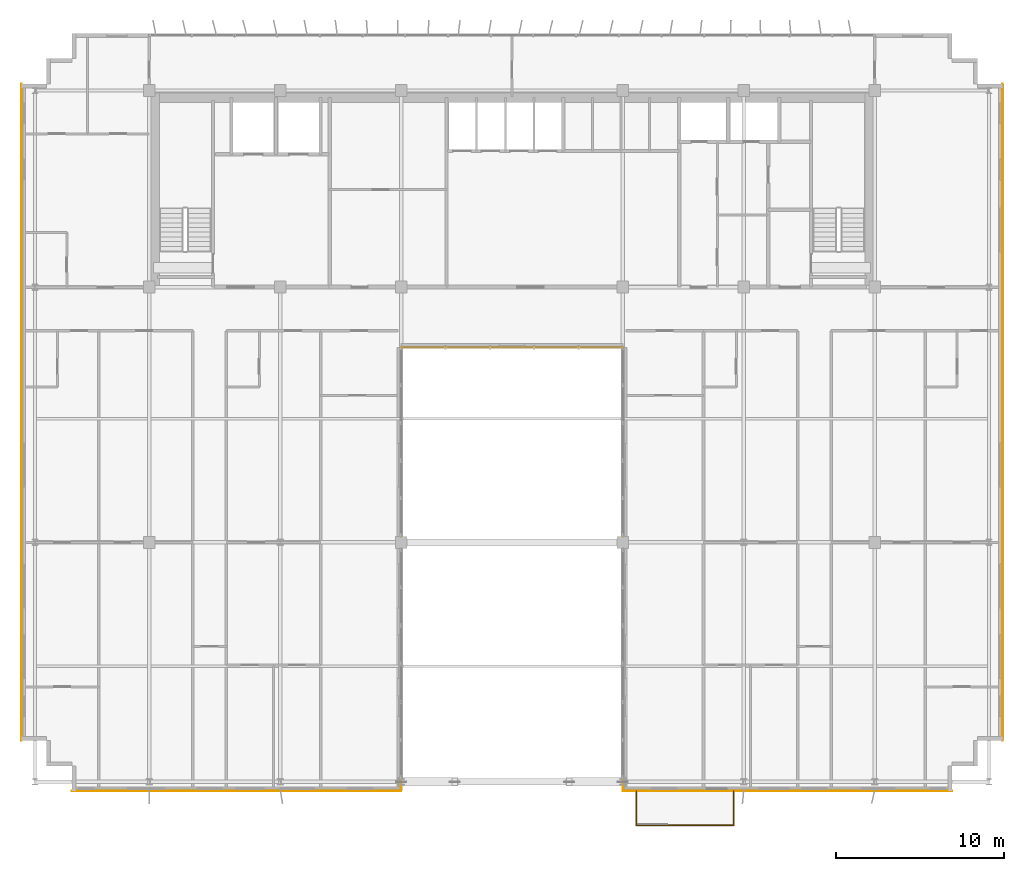
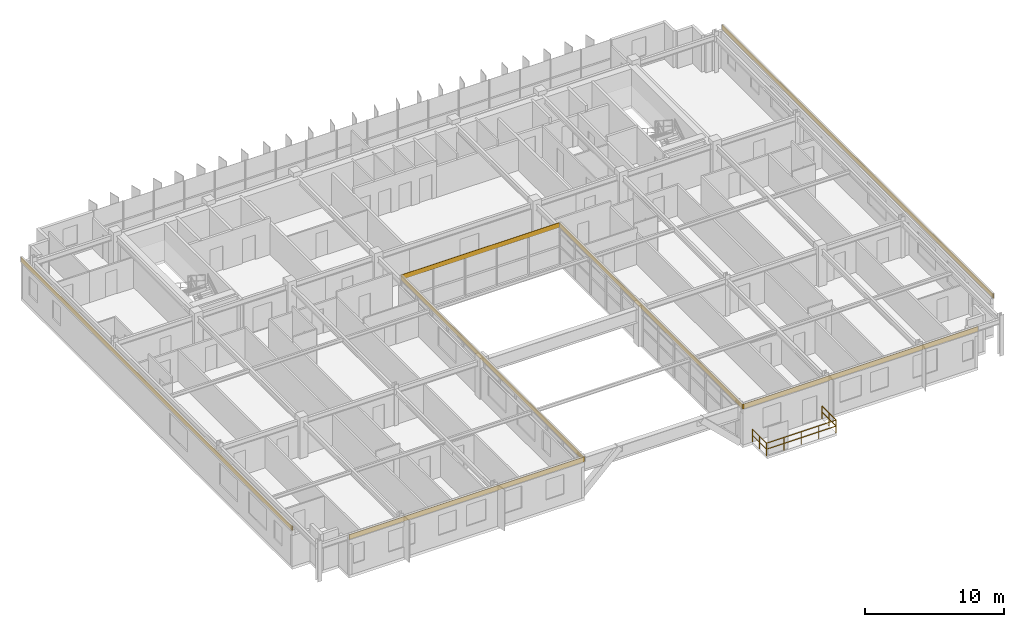
# One storey, part 36 of 37: 7 coverings, 3 railings.
"""IFC4 building model written with IfcOpenShell, lengths in metres."""

from ifc_helpers import new_model, si_unit, direction, frame, origin, origin_2d, place, context, subcontext, project, spatial, rectangle, extrude, source, transform, mapped, material, layer, layer_set, type_object, element, save


model = new_model("IFC4")

# Units and contexts
model_context = context("Model", 3, precision=1e-05, world=origin(), true_north=direction((0.0, 1.0)))
body_context = subcontext(model_context, "Body", "Model", "MODEL_VIEW")
ifc_project = project(units=[si_unit("LENGTHUNIT", "METRE"), si_unit("AREAUNIT", "SQUARE_METRE"), si_unit("VOLUMEUNIT", "CUBIC_METRE"), si_unit("PLANEANGLEUNIT", "RADIAN"), si_unit("MASSUNIT", "GRAM", prefix="KILO")], contexts=[model_context])

# Site, building, storey
site_placement = place(None, origin())
site = spatial("IfcSite", under=ifc_project, at=site_placement, CompositionType="ELEMENT")
building_placement = place(site_placement, origin())
building = spatial("IfcBuilding", under=site, at=building_placement, Name="Trelvane Seafront Commons", CompositionType="ELEMENT")
storey_placement = place(building_placement, frame((0.0, 0.0, 201.300048828125)))
storey = spatial("IfcBuildingStorey", under=building, at=storey_placement, Name="L52", CompositionType="ELEMENT", Elevation=201.300048828125)

# Railings
ifc_material_1 = material(Name="Stainless steel balustrade", Category="steel")
railing_type = type_object("IfcRailingType", Name="ARCH-RAIL-BAL1150", PredefinedType="BALUSTRADE", material=ifc_material_1)
railing_1_placement = place(storey_placement, frame((44.60009765625, 3.39990234375, 0.0)))
element("IfcRailing", 1, at=railing_1_placement, inside=storey, type_object=railing_type, Name="RL-L52-BAL0-01", PredefinedType="BALUSTRADE", context=body_context, shape_type="SweptSolid", body=[
    extrude(rectangle(XDim=0.048095703125, YDim=0.048095703125, at=origin_2d()), frame((0.0, 0.0, 1.1259765625), z_axis=(0.0, -1.0, 0.0), x_axis=(1.0, 0.0, 0.0)), (0.0, 0.0, 1.0), 2.039794921875),
    extrude(rectangle(XDim=0.048095703125, YDim=0.048095703125, at=origin_2d()), frame((0.0, 0.0, 0.597900390625), z_axis=(0.0, -1.0, 0.0), x_axis=(1.0, 0.0, 0.0)), (0.0, 0.0, 1.0), 2.039794921875),
    extrude(rectangle(XDim=0.0419921875, YDim=0.0419921875, at=origin_2d()), origin(), (0.0, 0.0, 1.0), 1.1259765625),
    extrude(rectangle(XDim=0.0419921875, YDim=0.0419921875, at=origin_2d()), frame((0.0, -1.02001953125, 0.0)), (0.0, 0.0, 1.0), 1.1259765625),
    extrude(rectangle(XDim=0.0419921875, YDim=0.0419921875, at=origin_2d()), frame((0.0, -2.039794921875, 0.0)), (0.0, 0.0, 1.0), 1.1259765625),
])
railing_2_placement = place(storey_placement, frame((44.60009765625, 1.360107421875, 0.0)))
element("IfcRailing", 2, at=railing_2_placement, inside=storey, type_object=railing_type, Name="RL-L52-BAL0-02", PredefinedType="BALUSTRADE", context=body_context, shape_type="SweptSolid", body=[
    extrude(rectangle(XDim=0.048095703125, YDim=0.048095703125, at=origin_2d()), frame((0.0, 0.0, 1.1259765625), z_axis=(1.0, 0.0, 0.0), x_axis=(0.0, 1.0, 0.0)), (0.0, 0.0, 1.0), 5.7998046875),
    extrude(rectangle(XDim=0.048095703125, YDim=0.048095703125, at=origin_2d()), frame((0.0, 0.0, 0.597900390625), z_axis=(1.0, 0.0, 0.0), x_axis=(0.0, 1.0, 0.0)), (0.0, 0.0, 1.0), 5.7998046875),
    extrude(rectangle(XDim=0.0419921875, YDim=0.0419921875, at=origin_2d()), origin(), (0.0, 0.0, 1.0), 1.1259765625),
    extrude(rectangle(XDim=0.0419921875, YDim=0.0419921875, at=origin_2d()), frame((1.449951171875, 0.0, 0.0)), (0.0, 0.0, 1.0), 1.1259765625),
    extrude(rectangle(XDim=0.0419921875, YDim=0.0419921875, at=origin_2d()), frame((2.89990234375, 0.0, 0.0)), (0.0, 0.0, 1.0), 1.1259765625),
    extrude(rectangle(XDim=0.0419921875, YDim=0.0419921875, at=origin_2d()), frame((4.349853515625, 0.0, 0.0)), (0.0, 0.0, 1.0), 1.1259765625),
    extrude(rectangle(XDim=0.0419921875, YDim=0.0419921875, at=origin_2d()), frame((5.7998046875, 0.0, 0.0)), (0.0, 0.0, 1.0), 1.1259765625),
])
railing_3_placement = place(storey_placement, frame((50.39990234375, 1.360107421875, 0.0)))
element("IfcRailing", 3, at=railing_3_placement, inside=storey, type_object=railing_type, Name="RL-L52-BAL0-03", PredefinedType="BALUSTRADE", context=body_context, shape_type="SweptSolid", body=[
    extrude(rectangle(XDim=0.048095703125, YDim=0.048095703125, at=origin_2d()), frame((0.0, 0.0, 1.1259765625), z_axis=(0.0, 1.0, 0.0), x_axis=(-1.0, 0.0, 0.0)), (0.0, 0.0, 1.0), 2.039794921875),
    extrude(rectangle(XDim=0.048095703125, YDim=0.048095703125, at=origin_2d()), frame((0.0, 0.0, 0.597900390625), z_axis=(0.0, 1.0, 0.0), x_axis=(-1.0, 0.0, 0.0)), (0.0, 0.0, 1.0), 2.039794921875),
    extrude(rectangle(XDim=0.0419921875, YDim=0.0419921875, at=origin_2d()), origin(), (0.0, 0.0, 1.0), 1.1259765625),
    extrude(rectangle(XDim=0.0419921875, YDim=0.0419921875, at=origin_2d()), frame((0.0, 1.02001953125, 0.0)), (0.0, 0.0, 1.0), 1.1259765625),
    extrude(rectangle(XDim=0.0419921875, YDim=0.0419921875, at=origin_2d()), frame((0.0, 2.039794921875, 0.0)), (0.0, 0.0, 1.0), 1.1259765625),
])

# Coverings
ifc_material_2 = material(Name="Anodised pale-silver aluminium", Category="aluminium")
ifc_layer = layer(ifc_material_2, 0.034912109375, Name="ARCH-COV-CLAD35")
ifc_layer_set = layer_set([ifc_layer], Name="Anodised pale-silver aluminium")
covering_type = type_object("IfcCoveringType", Name="ARCH-COV-CLAD35", PredefinedType="CLADDING", material=ifc_layer_set)
shared_shape_1 = source(origin(), body_context, "Body", "SweptSolid", [
    extrude(rectangle(XDim=39.10009765625, YDim=0.034912109375, at=origin_2d()), origin(), (0.0, 0.0, 1.0), 0.419921875),
])
for number, where, z_axis, x_axis, name in (
    (4, (8.0, 25.949951171875, 3.179931640625), (0.0, 0.0, 1.0), (0.0, 1.0, 0.0), "CLD-L52-00216"),
    (5, (66.39990234375, 25.949951171875, 3.179931640625), (0.0, 0.0, 1.0), (0.0, -1.0, 0.0), "CLD-L52-00217"),
):
    element("IfcCovering", number, at=place(storey_placement, frame(where, z_axis=z_axis, x_axis=x_axis)), inside=storey, type_object=covering_type, Name=name, PredefinedType="CLADDING", context=body_context, shape_type="MappedRepresentation", body=[
        mapped(shared_shape_1, transform((0.0, 0.0, 0.0), x_axis=(1.0, 0.0, 0.0), y_axis=(0.0, 1.0, 0.0), z_axis=(0.0, 0.0, 1.0), scale=1.0)),
    ])
shared_shape_2 = source(origin(), body_context, "Body", "SweptSolid", [
    extrude(rectangle(XDim=19.60009765625, YDim=0.034912109375, at=origin_2d()), origin(), (0.0, 0.0, 1.0), 0.419921875),
])
for number, where, z_axis, x_axis, name in (
    (6, (53.60009765625, 3.39990234375, 3.179931640625), (0.0, 0.0, 1.0), (-1.0, 0.0, 0.0), "CLD-L52-00218"),
    (7, (20.800048828125, 3.39990234375, 3.179931640625), (0.0, 0.0, 1.0), (-1.0, 0.0, 0.0), "CLD-L52-00222"),
):
    element("IfcCovering", number, at=place(storey_placement, frame(where, z_axis=z_axis, x_axis=x_axis)), inside=storey, type_object=covering_type, Name=name, PredefinedType="CLADDING", context=body_context, shape_type="MappedRepresentation", body=[
        mapped(shared_shape_2, transform((0.0, 0.0, 0.0), x_axis=(1.0, 0.0, 0.0), y_axis=(0.0, 1.0, 0.0), z_axis=(0.0, 0.0, 1.0), scale=1.0)),
    ])
shared_shape_3 = source(origin(), body_context, "Body", "SweptSolid", [
    extrude(rectangle(XDim=26.39990234375, YDim=0.034912109375, at=origin_2d()), origin(), (0.0, 0.0, 1.0), 0.419921875),
])
for number, where, z_axis, x_axis, name in (
    (8, (43.800048828125, 16.60009765625, 3.179931640625), (0.0, 0.0, 1.0), (0.0, 1.0, 0.0), "CLD-L52-00219"),
    (9, (30.60009765625, 16.60009765625, 3.179931640625), (0.0, 0.0, 1.0), (0.0, -1.0, 0.0), "CLD-L52-00221"),
):
    element("IfcCovering", number, at=place(storey_placement, frame(where, z_axis=z_axis, x_axis=x_axis)), inside=storey, type_object=covering_type, Name=name, PredefinedType="CLADDING", context=body_context, shape_type="MappedRepresentation", body=[
        mapped(shared_shape_3, transform((0.0, 0.0, 0.0), x_axis=(1.0, 0.0, 0.0), y_axis=(0.0, 1.0, 0.0), z_axis=(0.0, 0.0, 1.0), scale=1.0)),
    ])
shared_shape_4 = source(origin(), body_context, "Body", "SweptSolid", [
    extrude(rectangle(XDim=13.199951171875, YDim=0.034912109375, at=origin_2d()), origin(), (0.0, 0.0, 1.0), 0.419921875),
])
covering_placement = place(storey_placement, frame((37.199951171875, 29.800048828125, 3.179931640625), z_axis=(0.0, 0.0, 1.0), x_axis=(-1.0, 0.0, 0.0)))
element("IfcCovering", 10, at=covering_placement, inside=storey, type_object=covering_type, Name="CLD-L52-00220", PredefinedType="CLADDING", context=body_context, shape_type="MappedRepresentation", body=[
    mapped(shared_shape_4, transform((0.0, 0.0, 0.0), x_axis=(1.0, 0.0, 0.0), y_axis=(0.0, 1.0, 0.0), z_axis=(0.0, 0.0, 1.0), scale=1.0)),
])

save(model, "model.ifc")
